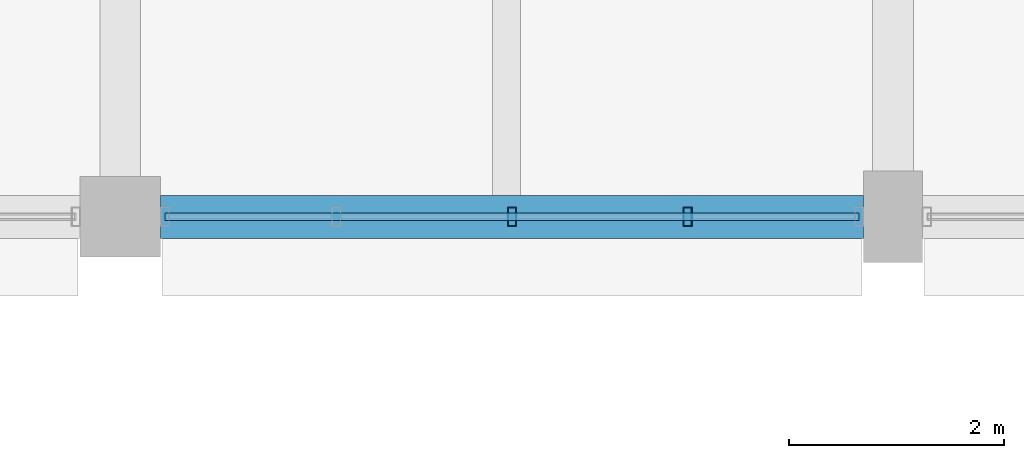
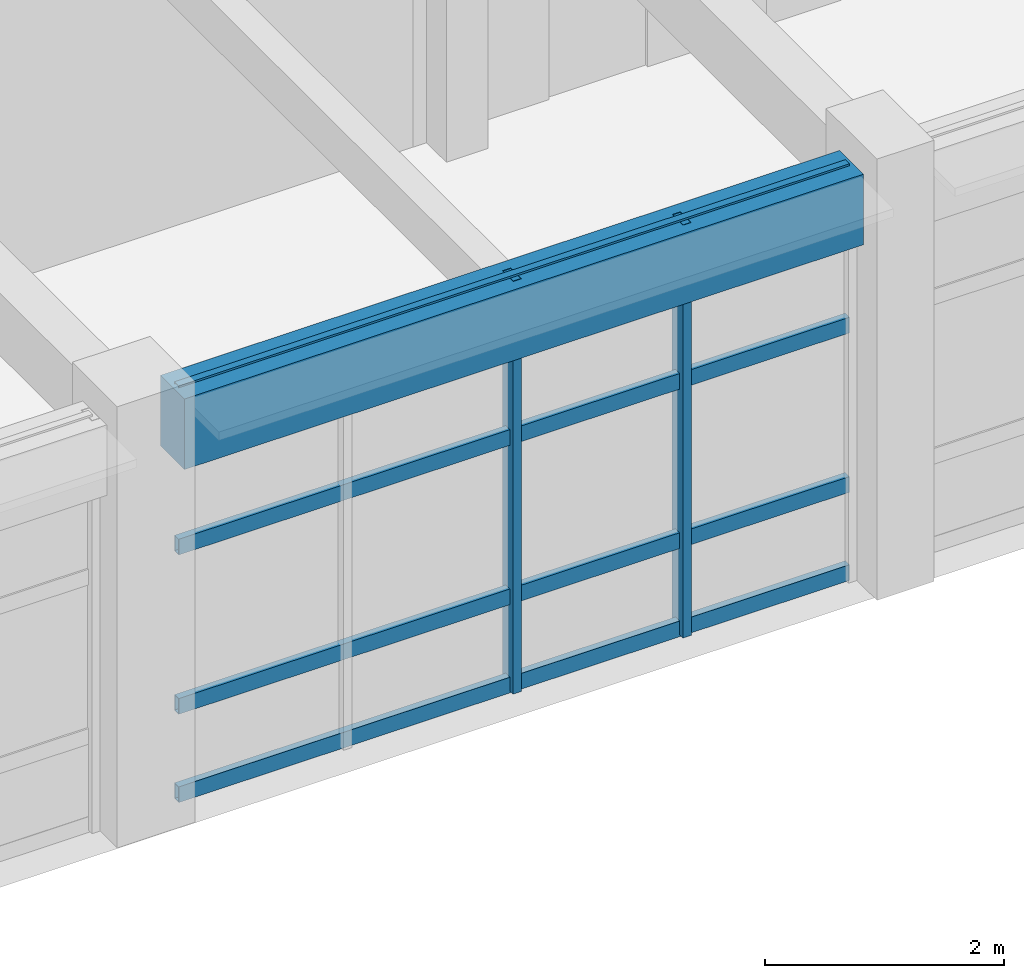
# One storey, part 62 of 171: 6 members, 1 beam, 1 element without a shape of its own.
"""IFC4 building model written with IfcOpenShell, lengths in metres."""

from ifc_helpers import new_model, si_unit, direction, frame, origin, origin_2d, place, context, subcontext, project, spatial, rectangle, hollow_rectangle, extrude, material, material_profile, profile_set, type_object, element, aggregate, save


model = new_model("IFC4")

# Units and contexts
model_context = context("Model", 3, precision=1e-05, world=origin(), true_north=direction((0.0, 1.0)))
body_context = subcontext(model_context, "Body", "Model", "MODEL_VIEW")
ifc_project = project(units=[si_unit("LENGTHUNIT", "METRE"), si_unit("AREAUNIT", "SQUARE_METRE"), si_unit("VOLUMEUNIT", "CUBIC_METRE"), si_unit("PLANEANGLEUNIT", "RADIAN"), si_unit("MASSUNIT", "GRAM", prefix="KILO")], contexts=[model_context])

# Site, building, storey
site_placement = place(None, origin())
site = spatial("IfcSite", under=ifc_project, at=site_placement, CompositionType="ELEMENT")
building_placement = place(site_placement, origin())
building = spatial("IfcBuilding", under=site, at=building_placement, Name="Thalmaran Polytechnic", CompositionType="ELEMENT")
storey_placement = place(building_placement, frame((0.0, 0.0, 5.39990234375)))
storey = spatial("IfcBuildingStorey", under=building, at=storey_placement, Name="L01", CompositionType="ELEMENT", Elevation=5.39990234375)

# Beam
ifc_material_1 = material(Name="Concrete C40/50", Category="concrete")
ifc_material_profile_1 = material_profile(ifc_material_1, rectangle(XDim=0.39990234375, YDim=0.719970703125, at=origin_2d()), Name="RC 400x720")
ifc_profile_set_1 = profile_set([ifc_material_profile_1], Name="Concrete C40/50")
beam_type = type_object("IfcBeamType", Name="BM-SP01", PredefinedType="SPANDREL", material=ifc_profile_set_1)
beam_placement = place(storey_placement, frame((57.97509765625, 93.60009765625, 3.85009765625), z_axis=(1.0, 0.0, 0.0), x_axis=(0.0, 1.0, 0.0)))
element("IfcBeam", 1, at=beam_placement, inside=storey, type_object=beam_type, Name="Grid Beam SP01 L01 X(8,13)", PredefinedType="SPANDREL", context=body_context, shape_type="SweptSolid", body=[
    extrude(rectangle(XDim=0.39990234375, YDim=0.719970703125, at=origin_2d()), origin(), (0.0, 0.0, 1.0), 6.5498046875),
])

# Curtain wall, members
ifc_material_2 = material(Name="Aluminium 6063-T6", Category="aluminium")
curtain_wall_type = type_object("IfcCurtainWallType", Name="CW-UC02", PredefinedType="USERDEFINED", material=ifc_material_2)
curtain_wall_placement = place(storey_placement, origin())
curtain_wall = element("IfcCurtainWall", 2, at=curtain_wall_placement, inside=storey, type_object=curtain_wall_type, Name="Curtain Wall CW-L01-130", ObjectType="UNITISED CURTAIN WALL", PredefinedType="USERDEFINED")
ifc_material_profile_2 = material_profile(ifc_material_2, hollow_rectangle(XDim=0.080078125, YDim=0.179931640625, WallThickness=0.0048828125, at=origin_2d()), Name="RHS 180x80x5.0")
ifc_profile_set_2 = profile_set([ifc_material_profile_2], Name="Aluminium 6063-T6")
member_type_1 = type_object("IfcMemberType", Name="CW-MUL1", PredefinedType="MULLION", material=ifc_profile_set_2)
member_1_placement = place(storey_placement, frame((62.887451171875, 93.60009765625, 0.0), z_axis=(0.0, 0.0, 1.0), x_axis=(1.0, 0.0, 0.0)))
member_1 = element("IfcMember", 3, at=member_1_placement, type_object=member_type_1, Name="CW-L01-130 Mullion 2", PredefinedType="MULLION", context=body_context, shape_type="SweptSolid", body=[
    extrude(hollow_rectangle(XDim=0.080078125, YDim=0.179931640625, WallThickness=0.0048828125, at=origin_2d()), origin(), (0.0, 0.0, 1.0), 4.210205078125),
])
member_2_placement = place(storey_placement, frame((61.25, 93.60009765625, 0.0), z_axis=(0.0, 0.0, 1.0), x_axis=(1.0, 0.0, 0.0)))
member_2 = element("IfcMember", 4, at=member_2_placement, type_object=member_type_1, Name="CW-L01-130 Mullion 3", PredefinedType="MULLION", context=body_context, shape_type="SweptSolid", body=[
    extrude(hollow_rectangle(XDim=0.080078125, YDim=0.179931640625, WallThickness=0.0048828125, at=origin_2d()), origin(), (0.0, 0.0, 1.0), 4.210205078125),
])
ifc_material_profile_3 = material_profile(ifc_material_2, hollow_rectangle(XDim=0.070068359375, YDim=0.159912109375, WallThickness=0.00390625, at=origin_2d()), Name="AL 160x70x4.0")
ifc_profile_set_3 = profile_set([ifc_material_profile_3], Name="Aluminium 6063-T6")
member_type_2 = type_object("IfcMemberType", Name="CW-TRN1", PredefinedType="USERDEFINED", material=ifc_profile_set_3)
member_3_placement = place(storey_placement, frame((64.485107421875, 93.60009765625, 0.06005859375), z_axis=(-1.0, 0.0, 0.0), x_axis=(0.0, -1.0, 0.0)))
member_3 = element("IfcMember", 5, at=member_3_placement, type_object=member_type_2, Name="CW-L01-130 Transom 1", ObjectType="TRANSOM", PredefinedType="USERDEFINED", context=body_context, shape_type="SweptSolid", body=[
    extrude(hollow_rectangle(XDim=0.070068359375, YDim=0.159912109375, WallThickness=0.00390625, at=origin_2d()), origin(), (0.0, 0.0, 1.0), 6.47021484375),
])
member_4_placement = place(storey_placement, frame((64.485107421875, 93.60009765625, 0.960205078125), z_axis=(-1.0, 0.0, 0.0), x_axis=(0.0, -1.0, 0.0)))
member_4 = element("IfcMember", 6, at=member_4_placement, type_object=member_type_2, Name="CW-L01-130 Transom 2", ObjectType="TRANSOM", PredefinedType="USERDEFINED", context=body_context, shape_type="SweptSolid", body=[
    extrude(hollow_rectangle(XDim=0.070068359375, YDim=0.159912109375, WallThickness=0.00390625, at=origin_2d()), origin(), (0.0, 0.0, 1.0), 6.47021484375),
])
member_5_placement = place(storey_placement, frame((64.485107421875, 93.60009765625, 2.585205078125), z_axis=(-1.0, 0.0, 0.0), x_axis=(0.0, -1.0, 0.0)))
member_5 = element("IfcMember", 7, at=member_5_placement, type_object=member_type_2, Name="CW-L01-130 Transom 3", ObjectType="TRANSOM", PredefinedType="USERDEFINED", context=body_context, shape_type="SweptSolid", body=[
    extrude(hollow_rectangle(XDim=0.070068359375, YDim=0.159912109375, WallThickness=0.00390625, at=origin_2d()), origin(), (0.0, 0.0, 1.0), 6.47021484375),
])
member_6_placement = place(storey_placement, frame((64.485107421875, 93.60009765625, 4.150146484375), z_axis=(-1.0, 0.0, 0.0), x_axis=(0.0, -1.0, 0.0)))
member_6 = element("IfcMember", 8, at=member_6_placement, type_object=member_type_2, Name="CW-L01-130 Transom 4", ObjectType="TRANSOM", PredefinedType="USERDEFINED", context=body_context, shape_type="SweptSolid", body=[
    extrude(hollow_rectangle(XDim=0.070068359375, YDim=0.159912109375, WallThickness=0.00390625, at=origin_2d()), origin(), (0.0, 0.0, 1.0), 6.47021484375),
])
aggregate(curtain_wall, [member_1, member_2, member_3, member_4, member_5, member_6])

save(model, "model.ifc")
